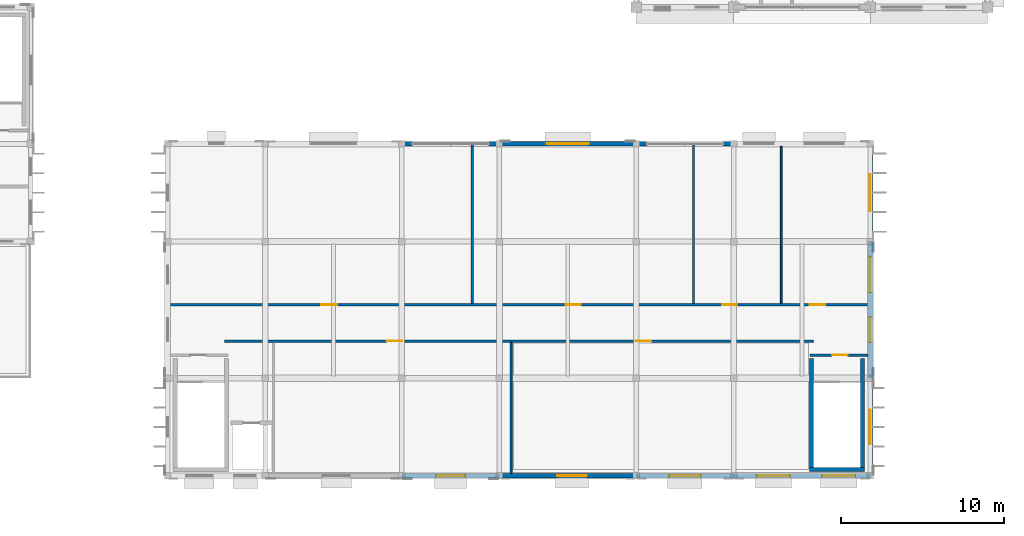
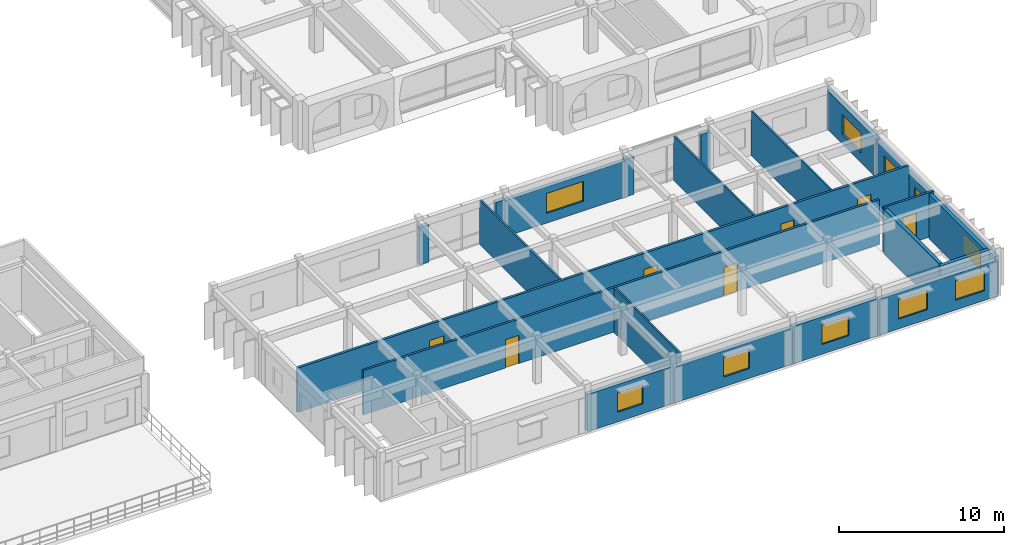
# One storey, part 61 of 88: 22 walls, 10 windows, 7 doors, 17 openings.
"""IFC4 building model written with IfcOpenShell, lengths in metres."""

import ifcopenshell
import ifcopenshell.guid

model = None  # the IFC model being written
_history = None  # IfcOwnerHistory: only IFC2X3 demands one
_inside = {}  # id of a spatial element -> (the spatial element, [elements in it])
_under = {}  # id of a project, library or spatial element -> (it, [spatial elements below it])
_declared = {}  # id of a project -> (the project, [libraries it declares])
_typed = {}  # id of a type object -> (the type object, [elements of that type])
_made_of = {}  # id of a material, layer set ... -> (it, [elements and type objects made of it])


def new_model(schema):
    """Start an empty IFC model of exactly this schema.

    Asked for "IFC4X3", IfcOpenShell would pick the latest addendum, in which some entities
    have other attributes; the version numbers below select the first issue.
    IFC2X3 requires an IfcOwnerHistory on every rooted entity: one is made here for all.
    """
    global model, _history
    if schema == "IFC4X3":
        model = ifcopenshell.file(schema_version=(4, 3, 0, 0))
    else:
        model = ifcopenshell.file(schema=schema)
    _inside.clear()
    _under.clear()
    _declared.clear()
    _typed.clear()
    _made_of.clear()
    _history = None
    if model.schema == "IFC2X3":
        org = make("IfcOrganization", Name="unknown")
        user = make(
            "IfcPersonAndOrganization",
            ThePerson=make("IfcPerson", FamilyName="unknown"),
            TheOrganization=org,
        )
        app = make(
            "IfcApplication",
            ApplicationDeveloper=org,
            Version="unknown",
            ApplicationFullName="unknown",
            ApplicationIdentifier="unknown",
        )
        _history = make(
            "IfcOwnerHistory",
            OwningUser=user,
            OwningApplication=app,
            ChangeAction="ADDED",
            CreationDate=0,
        )
    return model


def make(cls, **values):
    """One entity of the class cls with the attributes given. An attribute that is None is left unset."""
    return model.create_entity(
        cls, **{name: value for name, value in values.items() if value is not None}
    )


def rooted(cls, **values):
    """An entity with a GlobalId (a new one), such as an element, a storey or a relation."""
    return make(cls, GlobalId=ifcopenshell.guid.new(), OwnerHistory=_history, **values)


def si_unit(unit_type, name, prefix=None):
    """IfcSIUnit, for example si_unit("LENGTHUNIT", "METRE", prefix="MILLI")."""
    return make("IfcSIUnit", UnitType=unit_type, Prefix=prefix, Name=name)


def assignment(units):
    """IfcUnitAssignment: the units of a project."""
    return None if units is None else make("IfcUnitAssignment", Units=units)


def point(xyz):
    """IfcCartesianPoint."""
    return None if xyz is None else make("IfcCartesianPoint", Coordinates=xyz)


def direction(xyz):
    """IfcDirection."""
    return None if xyz is None else make("IfcDirection", DirectionRatios=xyz)


def frame(location, z_axis=None, x_axis=None):
    """IfcAxis2Placement3D, a coordinate frame: its origin and axes. An axis left out is left unset."""
    return make(
        "IfcAxis2Placement3D",
        Location=point(location),
        Axis=direction(z_axis),
        RefDirection=direction(x_axis),
    )


def frame_2d(location, x_axis=None):
    """IfcAxis2Placement2D, a coordinate frame in the plane: its origin and x axis."""
    return make(
        "IfcAxis2Placement2D", Location=point(location), RefDirection=direction(x_axis)
    )


def origin():
    """The frame at (0, 0, 0) with its axes left unset."""
    return frame((0.0, 0.0, 0.0))


def place(relative_to, where):
    """IfcLocalPlacement: puts the frame where relative to a parent placement (None: the world)."""
    return make(
        "IfcLocalPlacement", PlacementRelTo=relative_to, RelativePlacement=where
    )


def context(
    kind, dimensions, precision=None, world=None, true_north=None, identifier=None
):
    """IfcGeometricRepresentationContext, for example the 3D "Model" context."""
    return make(
        "IfcGeometricRepresentationContext",
        ContextIdentifier=identifier,
        ContextType=kind,
        CoordinateSpaceDimension=dimensions,
        Precision=precision,
        WorldCoordinateSystem=world,
        TrueNorth=true_north,
    )


def subcontext(parent, identifier, kind, view, scale=None):
    """IfcGeometricRepresentationSubContext, for example "Body" below "Model"."""
    return make(
        "IfcGeometricRepresentationSubContext",
        ContextIdentifier=identifier,
        ContextType=kind,
        ParentContext=parent,
        TargetScale=scale,
        TargetView=view,
    )


def project(units=None, contexts=None):
    """IfcProject with its units and contexts."""
    return rooted(
        "IfcProject",
        Name="project",
        RepresentationContexts=contexts,
        UnitsInContext=assignment(units),
    )


def spatial(cls, under=None, at=None, **own):
    """A site, building, storey or space (cls), placed at a placement, below another one or the project."""
    s = rooted(cls, ObjectPlacement=at, **own)
    if under is not None:
        _under.setdefault(under.id(), (under, []))[1].append(s)
    return s


def profile(cls, at=None, kind="AREA", **sizes):
    """A parametric profile (cls). Its sizes go by their IFC names, for example OverallWidth=200.0."""
    return make(cls, ProfileType=kind, Position=at, **sizes)


def rectangle(**sizes):
    """IfcRectangleProfileDef."""
    return profile("IfcRectangleProfileDef", **sizes)


def extrude(swept, where, along, depth):
    """IfcExtrudedAreaSolid: the profile swept, set in the frame where, extruded along a direction by depth."""
    return make(
        "IfcExtrudedAreaSolid",
        SweptArea=swept,
        Position=where,
        ExtrudedDirection=direction(along),
        Depth=depth,
    )


def shape(context_of_items, identifier, shape_type, items):
    """IfcShapeRepresentation: the items that make up one representation, for example the "Body"."""
    return make(
        "IfcShapeRepresentation",
        ContextOfItems=context_of_items,
        RepresentationIdentifier=identifier,
        RepresentationType=shape_type,
        Items=items,
    )


def material(Name=None, Category=None):
    """IfcMaterial."""
    return make("IfcMaterial", Name=Name, Category=Category)


def layer(
    of_material, thickness, ventilated=None, Name=None, Category=None, Priority=None
):
    """IfcMaterialLayer: one layer of a wall or slab, of a material (None: an air gap)."""
    return make(
        "IfcMaterialLayer",
        Material=of_material,
        LayerThickness=thickness,
        IsVentilated=ventilated,
        Name=Name,
        Category=Category,
        Priority=Priority,
    )


def layer_set(layers, Name=None):
    """IfcMaterialLayerSet."""
    return make("IfcMaterialLayerSet", MaterialLayers=layers, LayerSetName=Name)


def made_of(thing, what):
    """Note that an element or type object is made of a material, layer set ...; save() writes the relation."""
    if what is not None:
        _made_of.setdefault(what.id(), (what, []))[1].append(thing)
    return thing


def type_object(cls, material=None, **own):
    """A type object (cls), such as IfcWallType, which elements share."""
    return made_of(rooted(cls, **own), material)


def element(
    cls,
    number,
    at=None,
    inside=None,
    cuts=None,
    type_object=None,
    material=None,
    context=None,
    identifier="Body",
    shape_type=None,
    held_by="IfcProductDefinitionShape",
    body=None,
    shapes=None,
    **own,
):
    """One element of the class cls, such as IfcWall. Its Tag is "e" and its number.

    at: its placement. inside: the storey or other place that contains it. cuts: it is an
    opening in that element (IfcRelVoidsElement). A single representation is given by context,
    identifier, shape_type and body (its items); several are given by shapes. held_by: the class
    of the entity that holds the representations. save() writes the other relations.
    """
    e = rooted(cls, Tag="e%d" % number, ObjectPlacement=at, **own)
    if body is not None:
        shapes = [shape(context, identifier, shape_type, body)]
    if shapes is not None:
        e.Representation = make(held_by, Representations=shapes)
    if inside is not None:
        _inside.setdefault(inside.id(), (inside, []))[1].append(e)
    if cuts is not None:
        rooted(
            "IfcRelVoidsElement", RelatingBuildingElement=cuts, RelatedOpeningElement=e
        )
    if type_object is not None:
        _typed.setdefault(type_object.id(), (type_object, []))[1].append(e)
    return made_of(e, material)


def fill(opening, filler):
    """IfcRelFillsElement: the door or window that sits in an opening."""
    return rooted(
        "IfcRelFillsElement",
        RelatingOpeningElement=opening,
        RelatedBuildingElement=filler,
    )


def aggregate(whole, parts):
    """IfcRelAggregates: a whole, such as a stair, and the parts it consists of."""
    return rooted("IfcRelAggregates", RelatingObject=whole, RelatedObjects=parts)


def save(model, path):
    """Write the relations noted so far, then the file.

    IfcRelAggregates (storeys below a building ...), IfcRelContainedInSpatialStructure (elements
    in a storey), IfcRelDefinesByType, IfcRelAssociatesMaterial and IfcRelDeclares: one each for
    every whole, place, type object, material and project.
    """
    for whole, parts in _under.values():
        aggregate(whole, parts)
    for where, things in _inside.values():
        rooted(
            "IfcRelContainedInSpatialStructure",
            RelatedElements=things,
            RelatingStructure=where,
        )
    for kind, things in _typed.values():
        rooted("IfcRelDefinesByType", RelatedObjects=things, RelatingType=kind)
    for what, things in _made_of.values():
        rooted("IfcRelAssociatesMaterial", RelatedObjects=things, RelatingMaterial=what)
    for by, libraries in _declared.values():
        rooted("IfcRelDeclares", RelatingContext=by, RelatedDefinitions=libraries)
    model.write(path)


model = new_model("IFC4")

# Units and contexts
model_context = context("Model", 3, precision=1e-05, world=origin(), true_north=direction((0.0, 1.0)))
body_context = subcontext(model_context, "Body", "Model", "MODEL_VIEW")
ifc_project = project(units=[si_unit("LENGTHUNIT", "METRE"), si_unit("AREAUNIT", "SQUARE_METRE"), si_unit("VOLUMEUNIT", "CUBIC_METRE"), si_unit("PLANEANGLEUNIT", "RADIAN"), si_unit("MASSUNIT", "GRAM", prefix="KILO"), si_unit("THERMODYNAMICTEMPERATUREUNIT", "KELVIN")], contexts=[model_context])

# Site, building, storey
site_placement = place(None, origin())
site = spatial("IfcSite", under=ifc_project, at=site_placement, CompositionType="ELEMENT")
building_placement = place(site_placement, origin())
building = spatial("IfcBuilding", under=site, at=building_placement, Name="Thalorik Housing Commons", CompositionType="ELEMENT")
storey_placement = place(building_placement, frame((0.0, 0.0, 4.5)))
storey = spatial("IfcBuildingStorey", under=building, at=storey_placement, Name="L01", CompositionType="ELEMENT", Elevation=4.5)

# Walls
ifc_material_1 = material(Name="Concrete C40/50", Category="concrete")
ifc_layer_1 = layer(ifc_material_1, 0.25, Name="Concrete C40/50", Category="concrete")
ifc_layer_set_1 = layer_set([ifc_layer_1], Name="Concrete C40/50")
wall_type_1 = type_object("IfcWallType", Name="ARC-WAL-CORE-250", PredefinedType="SHEAR", material=ifc_layer_set_1)
for number, where, z_axis, x_axis, name in (
    (1, (163.175048828125, 15.60009765625, 0.0), (0.0, 0.0, 1.0), (0.0, -1.0, 0.0), "L01 Stair ST-N2 Structural Support Wall L"),
    (2, (166.324951171875, 15.60009765625, 0.0), (0.0, 0.0, 1.0), (0.0, -1.0, 0.0), "L01 Stair ST-N2 Structural Support Wall R"),
):
    element("IfcWall", number, at=place(storey_placement, frame(where, z_axis=z_axis, x_axis=x_axis)), inside=storey, type_object=wall_type_1, Name=name, PredefinedType="SHEAR", context=body_context, shape_type="SweptSolid", body=[
        extrude(rectangle(XDim=6.7001953125, YDim=0.25, at=frame_2d((3.35009765625, 0.0))), origin(), (0.0, 0.0, 1.0), 3.300048828125),
    ])
wall_1_placement = place(storey_placement, frame((163.050048828125, 8.77490234375, 0.0), z_axis=(0.0, 0.0, 1.0), x_axis=(1.0, 0.0, 0.0)))
element("IfcWall", 3, at=wall_1_placement, inside=storey, type_object=wall_type_1, Name="L01 Stair ST-N2 Structural Support Wall F", PredefinedType="SHEAR", context=body_context, shape_type="SweptSolid", body=[
    extrude(rectangle(XDim=3.39990234375, YDim=0.25, at=frame_2d((1.699951171875, 0.0))), origin(), (0.0, 0.0, 1.0), 3.300048828125),
])

# Wall, openings, doors
ifc_material_2 = material(Name="Masonry fire-rated corridor wall", Category="masonry")
ifc_layer_2 = layer(ifc_material_2, 0.14990234375, Name="Masonry fire-rated corridor wall", Category="masonry")
ifc_layer_set_2 = layer_set([ifc_layer_2], Name="Masonry fire-rated corridor wall")
wall_type_2 = type_object("IfcWallType", Name="ARC-WAL-CORR-150", PredefinedType="PARTITIONING", material=ifc_layer_set_2)
wall_2_placement = place(storey_placement, frame((127.10009765625, 16.679931640625, 0.0), z_axis=(0.0, 0.0, 1.0), x_axis=(1.0, 0.0, 0.0)))
wall_2 = element("IfcWall", 4, at=wall_2_placement, inside=storey, type_object=wall_type_2, Name="L01 Nursery South Corridor Wall", PredefinedType="PARTITIONING", context=body_context, shape_type="SweptSolid", body=[
    extrude(rectangle(XDim=36.199951171875, YDim=0.14990234375, at=frame_2d((18.10009765625, 0.0))), origin(), (0.0, 0.0, 1.0), 3.300048828125),
])
opening_1_placement = place(wall_2_placement, frame((9.966796875, 0.0, 0.0)))
opening_1 = element("IfcOpeningElement", 5, at=opening_1_placement, cuts=wall_2, Name="Opening ID-2201", PredefinedType="OPENING", context=body_context, shape_type="SweptSolid", body=[
    extrude(rectangle(XDim=0.949951171875, YDim=2.10009765625, at=frame_2d((0.47509765625, 1.050048828125))), frame((0.0, 0.0849609375, 0.0), z_axis=(0.0, -1.0, 0.0), x_axis=(1.0, 0.0, 0.0)), (0.0, 0.0, 1.0), 0.169921875),
])
opening_2_placement = place(wall_2_placement, frame((25.283203125, 0.0, 0.0)))
opening_2 = element("IfcOpeningElement", 6, at=opening_2_placement, cuts=wall_2, Name="Opening ID-2202", PredefinedType="OPENING", context=body_context, shape_type="SweptSolid", body=[
    extrude(rectangle(XDim=0.949951171875, YDim=2.10009765625, at=frame_2d((0.47509765625, 1.050048828125))), frame((0.0, 0.0849609375, 0.0), z_axis=(0.0, -1.0, 0.0), x_axis=(1.0, 0.0, 0.0)), (0.0, 0.0, 1.0), 0.169921875),
])
ifc_material_3 = material(Name="Engineered oak timber", Category="wood")
door_type_1 = type_object("IfcDoorType", Name="ARC-DR-INT-950", OperationType="NOTDEFINED", PredefinedType="DOOR", material=ifc_material_3)
door_1_placement = place(opening_1_placement, origin())
door_1 = element("IfcDoor", 7, at=door_1_placement, inside=storey, type_object=door_type_1, Name="Nap Room Door", OperationType="SINGLE_SWING_LEFT", OverallHeight=2.10009765625, OverallWidth=0.949951171875, PredefinedType="DOOR", context=body_context, shape_type="SweptSolid", body=[
    extrude(rectangle(XDim=0.949951171875, YDim=2.10009765625, at=frame_2d((0.47509765625, 1.050048828125))), frame((0.0, 0.02490234375, 0.0), z_axis=(0.0, -1.0, 0.0), x_axis=(1.0, 0.0, 0.0)), (0.0, 0.0, 1.0), 0.050048828125),
])
fill(opening_1, door_1)
door_2_placement = place(opening_2_placement, origin())
door_2 = element("IfcDoor", 8, at=door_2_placement, inside=storey, type_object=door_type_1, Name="Upper Preschool Classroom Door", OperationType="SINGLE_SWING_RIGHT", OverallHeight=2.10009765625, OverallWidth=0.949951171875, PredefinedType="DOOR", context=body_context, shape_type="SweptSolid", body=[
    extrude(rectangle(XDim=0.949951171875, YDim=2.10009765625, at=frame_2d((0.47509765625, 1.050048828125))), frame((0.0, 0.02490234375, 0.0), z_axis=(0.0, -1.0, 0.0), x_axis=(1.0, 0.0, 0.0)), (0.0, 0.0, 1.0), 0.050048828125),
])
fill(opening_2, door_2)

ifc_layer_3 = layer(ifc_material_2, 0.1650390625, Name="Masonry fire-rated corridor wall", Category="masonry")
ifc_layer_set_3 = layer_set([ifc_layer_3], Name="Masonry fire-rated corridor wall")
wall_type_3 = type_object("IfcWallType", Name="ARC-WAL-CORR-165", PredefinedType="PARTITIONING", material=ifc_layer_set_3)
wall_3_placement = place(storey_placement, frame((123.7470703125, 18.919921875, 0.0), z_axis=(0.0, 0.0, 1.0), x_axis=(1.0, 0.0, 0.0)))
wall_3 = element("IfcWall", 9, at=wall_3_placement, inside=storey, type_object=wall_type_3, Name="L01 Nursery North Corridor Wall", PredefinedType="PARTITIONING", context=body_context, shape_type="SweptSolid", body=[
    extrude(rectangle(XDim=42.906005859375, YDim=0.1650390625, at=frame_2d((21.453125, 0.0))), origin(), (0.0, 0.0, 1.0), 3.300048828125),
])
opening_3_placement = place(wall_3_placement, frame((9.293701171875, 0.0, 0.0)))
opening_3 = element("IfcOpeningElement", 10, at=opening_3_placement, cuts=wall_3, Name="Opening ID-2203", PredefinedType="OPENING", context=body_context, shape_type="SweptSolid", body=[
    extrude(rectangle(XDim=1.0, YDim=2.10009765625, at=frame_2d((0.5, 1.050048828125))), frame((0.0, 0.092529296875, 0.0), z_axis=(0.0, -1.0, 0.0), x_axis=(1.0, 0.0, 0.0)), (0.0, 0.0, 1.0), 0.18505859375),
])
opening_4_placement = place(wall_3_placement, frame((24.313232421875, 0.0, 0.0)))
opening_4 = element("IfcOpeningElement", 11, at=opening_4_placement, cuts=wall_3, Name="Opening ID-2204", PredefinedType="OPENING", context=body_context, shape_type="SweptSolid", body=[
    extrude(rectangle(XDim=0.949951171875, YDim=2.10009765625, at=frame_2d((0.47509765625, 1.050048828125))), frame((0.0, 0.092529296875, 0.0), z_axis=(0.0, -1.0, 0.0), x_axis=(1.0, 0.0, 0.0)), (0.0, 0.0, 1.0), 0.18505859375),
])
opening_5_placement = place(wall_3_placement, frame((33.9423828125, 0.0, 0.0)))
opening_5 = element("IfcOpeningElement", 12, at=opening_5_placement, cuts=wall_3, Name="Opening ID-2205", PredefinedType="OPENING", context=body_context, shape_type="SweptSolid", body=[
    extrude(rectangle(XDim=0.89990234375, YDim=2.10009765625, at=frame_2d((0.449951171875, 1.050048828125))), frame((0.0, 0.092529296875, 0.0), z_axis=(0.0, -1.0, 0.0), x_axis=(1.0, 0.0, 0.0)), (0.0, 0.0, 1.0), 0.18505859375),
])
opening_6_placement = place(wall_3_placement, frame((39.321533203125, 0.0, 0.0)))
opening_6 = element("IfcOpeningElement", 13, at=opening_6_placement, cuts=wall_3, Name="Opening ID-2206", PredefinedType="OPENING", context=body_context, shape_type="SweptSolid", body=[
    extrude(rectangle(XDim=0.949951171875, YDim=2.10009765625, at=frame_2d((0.47509765625, 1.050048828125))), frame((0.0, 0.092529296875, 0.0), z_axis=(0.0, -1.0, 0.0), x_axis=(1.0, 0.0, 0.0)), (0.0, 0.0, 1.0), 0.18505859375),
])
door_type_2 = type_object("IfcDoorType", Name="ARC-DR-INT-1000", OperationType="NOTDEFINED", PredefinedType="DOOR", material=ifc_material_3)
door_3_placement = place(opening_3_placement, origin())
door_3 = element("IfcDoor", 14, at=door_3_placement, inside=storey, type_object=door_type_2, Name="Covered Play Veranda Door", OperationType="SINGLE_SWING_LEFT", OverallHeight=2.10009765625, OverallWidth=1.0, PredefinedType="DOOR", context=body_context, shape_type="SweptSolid", body=[
    extrude(rectangle(XDim=1.0, YDim=2.10009765625, at=frame_2d((0.5, 1.050048828125))), frame((0.0, 0.02490234375, 0.0), z_axis=(0.0, -1.0, 0.0), x_axis=(1.0, 0.0, 0.0)), (0.0, 0.0, 1.0), 0.050048828125),
])
fill(opening_3, door_3)
door_type_3 = type_object("IfcDoorType", Name="ARC-DR-INT-900", OperationType="NOTDEFINED", PredefinedType="DOOR", material=ifc_material_3)
door_4_placement = place(opening_5_placement, origin())
door_4 = element("IfcDoor", 15, at=door_4_placement, inside=storey, type_object=door_type_3, Name="L01 Children's Bathroom Door", OperationType="SINGLE_SWING_LEFT", OverallHeight=2.10009765625, OverallWidth=0.89990234375, PredefinedType="DOOR", context=body_context, shape_type="SweptSolid", body=[
    extrude(rectangle(XDim=0.89990234375, YDim=2.10009765625, at=frame_2d((0.449951171875, 1.050048828125))), frame((0.0, 0.02490234375, 0.0), z_axis=(0.0, -1.0, 0.0), x_axis=(1.0, 0.0, 0.0)), (0.0, 0.0, 1.0), 0.050048828125),
])
fill(opening_5, door_4)
door_5_placement = place(opening_4_placement, origin())
door_5 = element("IfcDoor", 16, at=door_5_placement, inside=storey, type_object=door_type_1, Name="Early Childhood Art Room Door", OperationType="SINGLE_SWING_RIGHT", OverallHeight=2.10009765625, OverallWidth=0.949951171875, PredefinedType="DOOR", context=body_context, shape_type="SweptSolid", body=[
    extrude(rectangle(XDim=0.949951171875, YDim=2.10009765625, at=frame_2d((0.47509765625, 1.050048828125))), frame((0.0, 0.02490234375, 0.0), z_axis=(0.0, -1.0, 0.0), x_axis=(1.0, 0.0, 0.0)), (0.0, 0.0, 1.0), 0.050048828125),
])
fill(opening_4, door_5)
door_6_placement = place(opening_6_placement, origin())
door_6 = element("IfcDoor", 17, at=door_6_placement, inside=storey, type_object=door_type_1, Name="L01 Accessible Bathroom Door", OperationType="SINGLE_SWING_RIGHT", OverallHeight=2.10009765625, OverallWidth=0.949951171875, PredefinedType="DOOR", context=body_context, shape_type="SweptSolid", body=[
    extrude(rectangle(XDim=0.949951171875, YDim=2.10009765625, at=frame_2d((0.47509765625, 1.050048828125))), frame((0.0, 0.02490234375, 0.0), z_axis=(0.0, -1.0, 0.0), x_axis=(1.0, 0.0, 0.0)), (0.0, 0.0, 1.0), 0.050048828125),
])
fill(opening_6, door_6)

# Wall, opening, window
ifc_material_4 = material(Name="White precast concrete C40/50", Category="concrete")
ifc_layer_4 = layer(ifc_material_4, 0.2900390625, Name="White precast concrete C40/50", Category="concrete")
ifc_layer_set_4 = layer_set([ifc_layer_4], Name="White precast concrete C40/50")
wall_type_4 = type_object("IfcWallType", Name="ARC-WAL-EXT-290", PredefinedType="STANDARD", material=ifc_layer_set_4)
wall_4_placement = place(storey_placement, frame((138.0, 8.39990234375, 0.0), z_axis=(0.0, 0.0, 1.0), x_axis=(1.0, 0.0, 0.0)))
wall_4 = element("IfcWall", 18, at=wall_4_placement, inside=storey, type_object=wall_type_4, Name="L01 Exterior Wall WAL-NURS-L01-1343", PredefinedType="STANDARD", context=body_context, shape_type="SweptSolid", body=[
    extrude(rectangle(XDim=6.0, YDim=0.2900390625, at=frame_2d((3.0, 0.0))), origin(), (0.0, 0.0, 1.0), 2.77490234375),
])
opening_7_placement = place(wall_4_placement, frame((2.110107421875, 0.0, 0.719970703125)))
opening_7 = element("IfcOpeningElement", 19, at=opening_7_placement, cuts=wall_4, Name="Opening W-57", PredefinedType="OPENING", context=body_context, shape_type="SweptSolid", body=[
    extrude(rectangle(XDim=1.780029296875, YDim=1.419921875, at=frame_2d((0.89013671875, 0.7099609375))), frame((0.0, 0.155029296875, 0.0), z_axis=(0.0, -1.0, 0.0), x_axis=(1.0, 0.0, 0.0)), (0.0, 0.0, 1.0), 0.31005859375),
])
ifc_material_5 = material(Name="Anodised aluminium and solar-control low-E glass", Category="aluminium")
window_type_1 = type_object("IfcWindowType", Name="ARC-WIN-57", PartitioningType="DOUBLE_PANEL_VERTICAL", PredefinedType="WINDOW", material=ifc_material_5)
window_1_placement = place(opening_7_placement, origin())
window_1 = element("IfcWindow", 20, at=window_1_placement, inside=storey, type_object=window_type_1, Name="L01 Facade Window 2382", OverallHeight=1.419921875, OverallWidth=1.780029296875, PartitioningType="DOUBLE_PANEL_VERTICAL", PredefinedType="WINDOW", context=body_context, shape_type="SweptSolid", body=[
    extrude(rectangle(XDim=1.780029296875, YDim=1.419921875, at=frame_2d((0.89013671875, 0.7099609375))), frame((0.0, 0.030029296875, 0.0), z_axis=(0.0, -1.0, 0.0), x_axis=(1.0, 0.0, 0.0)), (0.0, 0.0, 1.0), 0.06005859375),
])
fill(opening_7, window_1)

wall_5_placement = place(storey_placement, frame((144.0, 8.39990234375, 0.0), z_axis=(0.0, 0.0, 1.0), x_axis=(1.0, 0.0, 0.0)))
wall_5 = element("IfcWall", 21, at=wall_5_placement, inside=storey, type_object=wall_type_4, Name="L01 Exterior Wall WAL-NURS-L01-1344", PredefinedType="STANDARD", context=body_context, shape_type="SweptSolid", body=[
    extrude(rectangle(XDim=8.39990234375, YDim=0.2900390625, at=frame_2d((4.199951171875, 0.0))), origin(), (0.0, 0.0, 1.0), 2.675048828125),
])
opening_8_placement = place(wall_5_placement, frame((3.554931640625, 0.0, 0.719970703125)))
opening_8 = element("IfcOpeningElement", 22, at=opening_8_placement, cuts=wall_5, Name="Opening W-58", PredefinedType="OPENING", context=body_context, shape_type="SweptSolid", body=[
    extrude(rectangle(XDim=1.820068359375, YDim=1.4599609375, at=frame_2d((0.91015625, 0.72998046875))), frame((0.0, 0.155029296875, 0.0), z_axis=(0.0, -1.0, 0.0), x_axis=(1.0, 0.0, 0.0)), (0.0, 0.0, 1.0), 0.31005859375),
])
window_type_2 = type_object("IfcWindowType", Name="ARC-WIN-58", PartitioningType="DOUBLE_PANEL_VERTICAL", PredefinedType="WINDOW", material=ifc_material_5)
window_2_placement = place(opening_8_placement, origin())
window_2 = element("IfcWindow", 23, at=window_2_placement, inside=storey, type_object=window_type_2, Name="L01 Facade Window 2383", OverallHeight=1.4599609375, OverallWidth=1.820068359375, PartitioningType="DOUBLE_PANEL_VERTICAL", PredefinedType="WINDOW", context=body_context, shape_type="SweptSolid", body=[
    extrude(rectangle(XDim=1.820068359375, YDim=1.4599609375, at=frame_2d((0.91015625, 0.72998046875))), frame((0.0, 0.030029296875, 0.0), z_axis=(0.0, -1.0, 0.0), x_axis=(1.0, 0.0, 0.0)), (0.0, 0.0, 1.0), 0.06005859375),
])
fill(opening_8, window_2)

wall_6_placement = place(storey_placement, frame((152.39990234375, 8.39990234375, 0.0), z_axis=(0.0, 0.0, 1.0), x_axis=(1.0, 0.0, 0.0)))
wall_6 = element("IfcWall", 24, at=wall_6_placement, inside=storey, type_object=wall_type_4, Name="L01 Exterior Wall WAL-NURS-L01-1345", PredefinedType="STANDARD", context=body_context, shape_type="SweptSolid", body=[
    extrude(rectangle(XDim=6.0, YDim=0.2900390625, at=frame_2d((3.0, 0.0))), origin(), (0.0, 0.0, 1.0), 2.77490234375),
])
opening_9_placement = place(wall_6_placement, frame((2.0400390625, 0.0, 0.719970703125)))
opening_9 = element("IfcOpeningElement", 25, at=opening_9_placement, cuts=wall_6, Name="Opening W-60", PredefinedType="OPENING", context=body_context, shape_type="SweptSolid", body=[
    extrude(rectangle(XDim=1.919921875, YDim=1.43994140625, at=frame_2d((0.9599609375, 0.719970703125))), frame((0.0, 0.155029296875, 0.0), z_axis=(0.0, -1.0, 0.0), x_axis=(1.0, 0.0, 0.0)), (0.0, 0.0, 1.0), 0.31005859375),
])
window_type_3 = type_object("IfcWindowType", Name="ARC-WIN-60", PartitioningType="DOUBLE_PANEL_VERTICAL", PredefinedType="WINDOW", material=ifc_material_5)
window_3_placement = place(opening_9_placement, origin())
window_3 = element("IfcWindow", 26, at=window_3_placement, inside=storey, type_object=window_type_3, Name="L01 Facade Window 2384", OverallHeight=1.43994140625, OverallWidth=1.919921875, PartitioningType="DOUBLE_PANEL_VERTICAL", PredefinedType="WINDOW", context=body_context, shape_type="SweptSolid", body=[
    extrude(rectangle(XDim=1.919921875, YDim=1.43994140625, at=frame_2d((0.9599609375, 0.719970703125))), frame((0.0, 0.030029296875, 0.0), z_axis=(0.0, -1.0, 0.0), x_axis=(1.0, 0.0, 0.0)), (0.0, 0.0, 1.0), 0.06005859375),
])
fill(opening_9, window_3)

# Wall, openings, windows
wall_7_placement = place(storey_placement, frame((158.39990234375, 8.39990234375, 0.0), z_axis=(0.0, 0.0, 1.0), x_axis=(1.0, 0.0, 0.0)))
wall_7 = element("IfcWall", 27, at=wall_7_placement, inside=storey, type_object=wall_type_4, Name="L01 Exterior Wall WAL-NURS-L01-1346", PredefinedType="STANDARD", context=body_context, shape_type="SweptSolid", body=[
    extrude(rectangle(XDim=8.400146484375, YDim=0.2900390625, at=frame_2d((4.2001953125, 0.0))), origin(), (0.0, 0.0, 1.0), 2.675048828125),
])
opening_10_placement = place(wall_7_placement, frame((1.425048828125, 0.0, 0.719970703125)))
opening_10 = element("IfcOpeningElement", 28, at=opening_10_placement, cuts=wall_7, Name="Opening W-62", PredefinedType="OPENING", context=body_context, shape_type="SweptSolid", body=[
    extrude(rectangle(XDim=2.0400390625, YDim=1.4599609375, at=frame_2d((1.02001953125, 0.72998046875))), frame((0.0, 0.155029296875, 0.0), z_axis=(0.0, -1.0, 0.0), x_axis=(1.0, 0.0, 0.0)), (0.0, 0.0, 1.0), 0.31005859375),
])
opening_11_placement = place(wall_7_placement, frame((5.43505859375, 0.0, 0.719970703125)))
opening_11 = element("IfcOpeningElement", 29, at=opening_11_placement, cuts=wall_7, Name="Opening W-62", PredefinedType="OPENING", context=body_context, shape_type="SweptSolid", body=[
    extrude(rectangle(XDim=2.0400390625, YDim=1.4599609375, at=frame_2d((1.02001953125, 0.72998046875))), frame((0.0, 0.155029296875, 0.0), z_axis=(0.0, -1.0, 0.0), x_axis=(1.0, 0.0, 0.0)), (0.0, 0.0, 1.0), 0.31005859375),
])
window_type_4 = type_object("IfcWindowType", Name="ARC-WIN-62", PartitioningType="DOUBLE_PANEL_VERTICAL", PredefinedType="WINDOW", material=ifc_material_5)
window_4_placement = place(opening_10_placement, origin())
window_4 = element("IfcWindow", 30, at=window_4_placement, inside=storey, type_object=window_type_4, Name="L01 Facade Window 2385", OverallHeight=1.4599609375, OverallWidth=2.0400390625, PartitioningType="DOUBLE_PANEL_VERTICAL", PredefinedType="WINDOW", context=body_context, shape_type="SweptSolid", body=[
    extrude(rectangle(XDim=2.0400390625, YDim=1.4599609375, at=frame_2d((1.02001953125, 0.72998046875))), frame((0.0, 0.030029296875, 0.0), z_axis=(0.0, -1.0, 0.0), x_axis=(1.0, 0.0, 0.0)), (0.0, 0.0, 1.0), 0.06005859375),
])
fill(opening_10, window_4)
window_5_placement = place(opening_11_placement, origin())
window_5 = element("IfcWindow", 31, at=window_5_placement, inside=storey, type_object=window_type_4, Name="L01 Facade Window 2386", OverallHeight=1.4599609375, OverallWidth=2.0400390625, PartitioningType="DOUBLE_PANEL_VERTICAL", PredefinedType="WINDOW", context=body_context, shape_type="SweptSolid", body=[
    extrude(rectangle(XDim=2.0400390625, YDim=1.4599609375, at=frame_2d((1.02001953125, 0.72998046875))), frame((0.0, 0.030029296875, 0.0), z_axis=(0.0, -1.0, 0.0), x_axis=(1.0, 0.0, 0.0)), (0.0, 0.0, 1.0), 0.06005859375),
])
fill(opening_11, window_5)

# Wall, opening, window
wall_8_placement = place(storey_placement, frame((166.800048828125, 8.39990234375, 0.0), z_axis=(0.0, 0.0, 1.0), x_axis=(0.0, 1.0, 0.0)))
wall_8 = element("IfcWall", 32, at=wall_8_placement, inside=storey, type_object=wall_type_4, Name="L01 Exterior Wall WAL-NURS-L01-1347", PredefinedType="STANDARD", context=body_context, shape_type="SweptSolid", body=[
    extrude(rectangle(XDim=6.0, YDim=0.2900390625, at=frame_2d((3.0, 0.0))), origin(), (0.0, 0.0, 1.0), 2.875),
])
opening_12_placement = place(wall_8_placement, frame((1.93994140625, 0.0, 0.719970703125)))
opening_12 = element("IfcOpeningElement", 33, at=opening_12_placement, cuts=wall_8, Name="Opening W-64", PredefinedType="OPENING", context=body_context, shape_type="SweptSolid", body=[
    extrude(rectangle(XDim=2.1201171875, YDim=1.43994140625, at=frame_2d((1.06005859375, 0.719970703125))), frame((0.0, 0.155029296875, 0.0), z_axis=(0.0, -1.0, 0.0), x_axis=(1.0, 0.0, 0.0)), (0.0, 0.0, 1.0), 0.31005859375),
])
window_type_5 = type_object("IfcWindowType", Name="ARC-WIN-64", PartitioningType="DOUBLE_PANEL_VERTICAL", PredefinedType="WINDOW", material=ifc_material_5)
window_6_placement = place(opening_12_placement, origin())
window_6 = element("IfcWindow", 34, at=window_6_placement, inside=storey, type_object=window_type_5, Name="L01 Facade Window 2387", OverallHeight=1.43994140625, OverallWidth=2.1201171875, PartitioningType="DOUBLE_PANEL_VERTICAL", PredefinedType="WINDOW", context=body_context, shape_type="SweptSolid", body=[
    extrude(rectangle(XDim=2.1201171875, YDim=1.43994140625, at=frame_2d((1.06005859375, 0.719970703125))), frame((0.0, 0.030029296875, 0.0), z_axis=(0.0, -1.0, 0.0), x_axis=(1.0, 0.0, 0.0)), (0.0, 0.0, 1.0), 0.06005859375),
])
fill(opening_12, window_6)

# Wall, openings, windows
wall_9_placement = place(storey_placement, frame((166.800048828125, 14.39990234375, 0.0), z_axis=(0.0, 0.0, 1.0), x_axis=(0.0, 1.0, 0.0)))
wall_9 = element("IfcWall", 35, at=wall_9_placement, inside=storey, type_object=wall_type_4, Name="L01 Exterior Wall WAL-NURS-L01-1348", PredefinedType="STANDARD", context=body_context, shape_type="SweptSolid", body=[
    extrude(rectangle(XDim=8.400146484375, YDim=0.2900390625, at=frame_2d((4.2001953125, 0.0))), origin(), (0.0, 0.0, 1.0), 2.72509765625),
])
opening_13_placement = place(wall_9_placement, frame((2.195068359375, 0.0, 0.719970703125)))
opening_13 = element("IfcOpeningElement", 36, at=opening_13_placement, cuts=wall_9, Name="Opening W-12", PredefinedType="OPENING", context=body_context, shape_type="SweptSolid", body=[
    extrude(rectangle(XDim=1.550048828125, YDim=1.39990234375, at=frame_2d((0.77490234375, 0.699951171875))), frame((0.0, 0.155029296875, 0.0), z_axis=(0.0, -1.0, 0.0), x_axis=(1.0, 0.0, 0.0)), (0.0, 0.0, 1.0), 0.31005859375),
])
opening_14_placement = place(wall_9_placement, frame((5.27490234375, 0.0, 0.719970703125)))
opening_14 = element("IfcOpeningElement", 37, at=opening_14_placement, cuts=wall_9, Name="Opening W-65", PredefinedType="OPENING", context=body_context, shape_type="SweptSolid", body=[
    extrude(rectangle(XDim=2.179931640625, YDim=1.47998046875, at=frame_2d((1.08984375, 0.739990234375))), frame((0.0, 0.155029296875, 0.0), z_axis=(0.0, -1.0, 0.0), x_axis=(1.0, 0.0, 0.0)), (0.0, 0.0, 1.0), 0.31005859375),
])
window_type_6 = type_object("IfcWindowType", Name="ARC-WIN-12", PartitioningType="SINGLE_PANEL", PredefinedType="WINDOW", material=ifc_material_5)
window_7_placement = place(opening_13_placement, origin())
window_7 = element("IfcWindow", 38, at=window_7_placement, inside=storey, type_object=window_type_6, Name="L01 Facade Window 2388", OverallHeight=1.39990234375, OverallWidth=1.550048828125, PartitioningType="SINGLE_PANEL", PredefinedType="WINDOW", context=body_context, shape_type="SweptSolid", body=[
    extrude(rectangle(XDim=1.550048828125, YDim=1.39990234375, at=frame_2d((0.77490234375, 0.699951171875))), frame((0.0, 0.030029296875, 0.0), z_axis=(0.0, -1.0, 0.0), x_axis=(1.0, 0.0, 0.0)), (0.0, 0.0, 1.0), 0.06005859375),
])
fill(opening_13, window_7)
window_type_7 = type_object("IfcWindowType", Name="ARC-WIN-65", PartitioningType="DOUBLE_PANEL_VERTICAL", PredefinedType="WINDOW", material=ifc_material_5)
window_8_placement = place(opening_14_placement, origin())
window_8 = element("IfcWindow", 39, at=window_8_placement, inside=storey, type_object=window_type_7, Name="L01 Facade Window 2389", OverallHeight=1.47998046875, OverallWidth=2.179931640625, PartitioningType="DOUBLE_PANEL_VERTICAL", PredefinedType="WINDOW", context=body_context, shape_type="SweptSolid", body=[
    extrude(rectangle(XDim=2.179931640625, YDim=1.47998046875, at=frame_2d((1.08984375, 0.739990234375))), frame((0.0, 0.030029296875, 0.0), z_axis=(0.0, -1.0, 0.0), x_axis=(1.0, 0.0, 0.0)), (0.0, 0.0, 1.0), 0.06005859375),
])
fill(opening_14, window_8)

# Wall, opening, window
wall_10_placement = place(storey_placement, frame((166.800048828125, 22.800048828125, 0.0), z_axis=(0.0, 0.0, 1.0), x_axis=(0.0, 1.0, 0.0)))
wall_10 = element("IfcWall", 40, at=wall_10_placement, inside=storey, type_object=wall_type_4, Name="L01 Exterior Wall WAL-NURS-L01-1349", PredefinedType="STANDARD", context=body_context, shape_type="SweptSolid", body=[
    extrude(rectangle(XDim=6.0, YDim=0.2900390625, at=frame_2d((3.0, 0.0))), origin(), (0.0, 0.0, 1.0), 2.875),
])
opening_15_placement = place(wall_10_placement, frame((1.860107421875, 0.0, 0.719970703125)))
opening_15 = element("IfcOpeningElement", 41, at=opening_15_placement, cuts=wall_10, Name="Opening W-67", PredefinedType="OPENING", context=body_context, shape_type="SweptSolid", body=[
    extrude(rectangle(XDim=2.280029296875, YDim=1.4599609375, at=frame_2d((1.14013671875, 0.72998046875))), frame((0.0, 0.155029296875, 0.0), z_axis=(0.0, -1.0, 0.0), x_axis=(1.0, 0.0, 0.0)), (0.0, 0.0, 1.0), 0.31005859375),
])
window_type_8 = type_object("IfcWindowType", Name="ARC-WIN-67", PartitioningType="DOUBLE_PANEL_VERTICAL", PredefinedType="WINDOW", material=ifc_material_5)
window_9_placement = place(opening_15_placement, origin())
window_9 = element("IfcWindow", 42, at=window_9_placement, inside=storey, type_object=window_type_8, Name="L01 Facade Window 2390", OverallHeight=1.4599609375, OverallWidth=2.280029296875, PartitioningType="DOUBLE_PANEL_VERTICAL", PredefinedType="WINDOW", context=body_context, shape_type="SweptSolid", body=[
    extrude(rectangle(XDim=2.280029296875, YDim=1.4599609375, at=frame_2d((1.14013671875, 0.72998046875))), frame((0.0, 0.030029296875, 0.0), z_axis=(0.0, -1.0, 0.0), x_axis=(1.0, 0.0, 0.0)), (0.0, 0.0, 1.0), 0.06005859375),
])
fill(opening_15, window_9)

# Walls
wall_11_placement = place(storey_placement, frame((158.39990234375, 28.800048828125, 0.0), z_axis=(0.0, 0.0, 1.0), x_axis=(-1.0, 0.0, 0.0)))
element("IfcWall", 43, at=wall_11_placement, inside=storey, type_object=wall_type_4, Name="L01 Exterior Wall WAL-NURSPL-L01-1351", PredefinedType="STANDARD", context=body_context, shape_type="SweptSolid", body=[
    extrude(rectangle(XDim=0.64990234375, YDim=0.2900390625, at=frame_2d((0.324951171875, 0.0))), origin(), (0.0, 0.0, 1.0), 2.77490234375),
])
wall_12_placement = place(storey_placement, frame((153.050048828125, 28.800048828125, 0.0), z_axis=(0.0, 0.0, 1.0), x_axis=(-1.0, 0.0, 0.0)))
element("IfcWall", 44, at=wall_12_placement, inside=storey, type_object=wall_type_4, Name="L01 Exterior Wall WAL-NURSPR-L01-1351", PredefinedType="STANDARD", context=body_context, shape_type="SweptSolid", body=[
    extrude(rectangle(XDim=0.650146484375, YDim=0.2900390625, at=frame_2d((0.3251953125, 0.0))), origin(), (0.0, 0.0, 1.0), 2.77490234375),
])

# Wall, opening, window
wall_13_placement = place(storey_placement, frame((152.39990234375, 28.800048828125, 0.0), z_axis=(0.0, 0.0, 1.0), x_axis=(-1.0, 0.0, 0.0)))
wall_13 = element("IfcWall", 45, at=wall_13_placement, inside=storey, type_object=wall_type_4, Name="L01 Exterior Wall WAL-NURS-L01-1352", PredefinedType="STANDARD", context=body_context, shape_type="SweptSolid", body=[
    extrude(rectangle(XDim=8.39990234375, YDim=0.2900390625, at=frame_2d((4.199951171875, 0.0))), origin(), (0.0, 0.0, 1.0), 2.675048828125),
])
opening_16_placement = place(wall_13_placement, frame((2.909912109375, 0.0, 0.719970703125)))
opening_16 = element("IfcOpeningElement", 46, at=opening_16_placement, cuts=wall_13, Name="Opening W-73", PredefinedType="OPENING", context=body_context, shape_type="SweptSolid", body=[
    extrude(rectangle(XDim=2.580078125, YDim=1.47998046875, at=frame_2d((1.2900390625, 0.739990234375))), frame((0.0, 0.155029296875, 0.0), z_axis=(0.0, -1.0, 0.0), x_axis=(1.0, 0.0, 0.0)), (0.0, 0.0, 1.0), 0.31005859375),
])
window_type_9 = type_object("IfcWindowType", Name="ARC-WIN-73", PartitioningType="DOUBLE_PANEL_VERTICAL", PredefinedType="WINDOW", material=ifc_material_5)
window_10_placement = place(opening_16_placement, origin())
window_10 = element("IfcWindow", 47, at=window_10_placement, inside=storey, type_object=window_type_9, Name="L01 Facade Window 2393", OverallHeight=1.47998046875, OverallWidth=2.580078125, PartitioningType="DOUBLE_PANEL_VERTICAL", PredefinedType="WINDOW", context=body_context, shape_type="SweptSolid", body=[
    extrude(rectangle(XDim=2.580078125, YDim=1.47998046875, at=frame_2d((1.2900390625, 0.739990234375))), frame((0.0, 0.030029296875, 0.0), z_axis=(0.0, -1.0, 0.0), x_axis=(1.0, 0.0, 0.0)), (0.0, 0.0, 1.0), 0.06005859375),
])
fill(opening_16, window_10)

# Walls
for number, where, z_axis, x_axis, name in (
    (48, (144.0, 28.800048828125, 0.0), (0.0, 0.0, 1.0), (-1.0, 0.0, 0.0), "L01 Exterior Wall WAL-NURSPL-L01-1353"),
    (49, (138.64990234375, 28.800048828125, 0.0), (0.0, 0.0, 1.0), (-1.0, 0.0, 0.0), "L01 Exterior Wall WAL-NURSPR-L01-1353"),
):
    element("IfcWall", number, at=place(storey_placement, frame(where, z_axis=z_axis, x_axis=x_axis)), inside=storey, type_object=wall_type_4, Name=name, PredefinedType="STANDARD", context=body_context, shape_type="SweptSolid", body=[
        extrude(rectangle(XDim=0.64990234375, YDim=0.2900390625, at=frame_2d((0.324951171875, 0.0))), origin(), (0.0, 0.0, 1.0), 2.77490234375),
    ])
ifc_material_6 = material(Name="Gypsum moisture-resistant partition", Category="masonry")
ifc_layer_5 = layer(ifc_material_6, 0.114990234375, Name="Gypsum moisture-resistant partition", Category="masonry")
ifc_layer_set_5 = layer_set([ifc_layer_5], Name="Gypsum moisture-resistant partition")
wall_type_5 = type_object("IfcWallType", Name="ARC-WAL-PART-115", PredefinedType="PARTITIONING", material=ifc_layer_set_5)
wall_14_placement = place(storey_placement, frame((144.719970703125, 8.547119140625, 0.0), z_axis=(0.0, 0.0, 1.0), x_axis=(0.0, 1.0, 0.0)))
element("IfcWall", 50, at=wall_14_placement, inside=storey, type_object=wall_type_5, Name="L01 Nursery South Room Divider", PredefinedType="PARTITIONING", context=body_context, shape_type="SweptSolid", body=[
    extrude(rectangle(XDim=8.055908203125, YDim=0.114990234375, at=frame_2d((4.02783203125, 0.0))), origin(), (0.0, 0.0, 1.0), 3.300048828125),
])
wall_15_placement = place(storey_placement, frame((161.320068359375, 19.00439453125, 0.0), z_axis=(0.0, 0.0, 1.0), x_axis=(0.0, 1.0, 0.0)))
element("IfcWall", 51, at=wall_15_placement, inside=storey, type_object=wall_type_5, Name="L01 Nursery North Room Divider", PredefinedType="PARTITIONING", context=body_context, shape_type="SweptSolid", body=[
    extrude(rectangle(XDim=9.648681640625, YDim=0.114990234375, at=frame_2d((4.82421875, 0.0))), origin(), (0.0, 0.0, 1.0), 3.300048828125),
])
ifc_material_7 = material(Name="Gypsum acoustic stud partition", Category="masonry")
ifc_layer_6 = layer(ifc_material_7, 0.125, Name="Gypsum acoustic stud partition", Category="masonry")
ifc_layer_set_6 = layer_set([ifc_layer_6], Name="Gypsum acoustic stud partition")
wall_type_6 = type_object("IfcWallType", Name="ARC-WAL-PART-125", PredefinedType="PARTITIONING", material=ifc_layer_set_6)
wall_16_placement = place(storey_placement, frame((155.919921875, 19.00439453125, 0.0), z_axis=(0.0, 0.0, 1.0), x_axis=(0.0, 1.0, 0.0)))
element("IfcWall", 52, at=wall_16_placement, inside=storey, type_object=wall_type_6, Name="L01 Nursery North Room Divider", PredefinedType="PARTITIONING", context=body_context, shape_type="SweptSolid", body=[
    extrude(rectangle(XDim=9.735595703125, YDim=0.125, at=frame_2d((4.86767578125, 0.0))), origin(), (0.0, 0.0, 1.0), 3.300048828125),
])
ifc_material_8 = material(Name="Ceramic masonry partition wall", Category="masonry")
ifc_layer_7 = layer(ifc_material_8, 0.139892578125, Name="Ceramic masonry partition wall", Category="masonry")
ifc_layer_set_7 = layer_set([ifc_layer_7], Name="Ceramic masonry partition wall")
wall_type_7 = type_object("IfcWallType", Name="ARC-WAL-PART-140", PredefinedType="PARTITIONING", material=ifc_layer_set_7)
wall_17_placement = place(storey_placement, frame((142.320068359375, 19.00439453125, 0.0), z_axis=(0.0, 0.0, 1.0), x_axis=(0.0, 1.0, 0.0)))
element("IfcWall", 53, at=wall_17_placement, inside=storey, type_object=wall_type_7, Name="L01 Nursery North Room Divider", PredefinedType="PARTITIONING", context=body_context, shape_type="SweptSolid", body=[
    extrude(rectangle(XDim=9.735595703125, YDim=0.139892578125, at=frame_2d((4.86767578125, 0.0))), origin(), (0.0, 0.0, 1.0), 3.300048828125),
])

# Wall, opening, door
ifc_layer_8 = layer(ifc_material_8, 0.14794921875, Name="Ceramic masonry partition wall", Category="masonry")
ifc_layer_set_8 = layer_set([ifc_layer_8], Name="Ceramic masonry partition wall")
wall_type_8 = type_object("IfcWallType", Name="ARC-WAL-PART-150", PredefinedType="PARTITIONING", material=ifc_layer_set_8)
wall_18_placement = place(storey_placement, frame((163.10009765625, 15.820068359375, 0.0), z_axis=(0.0, 0.0, 1.0), x_axis=(1.0, 0.0, 0.0)))
wall_18 = element("IfcWall", 54, at=wall_18_placement, inside=storey, type_object=wall_type_8, Name="L01 Nursery East Stair North Wall", PredefinedType="PARTITIONING", context=body_context, shape_type="SweptSolid", body=[
    extrude(rectangle(XDim=3.552978515625, YDim=0.14794921875, at=frame_2d((1.7763671875, 0.0))), origin(), (0.0, 0.0, 1.0), 3.300048828125),
])
opening_17_placement = place(wall_18_placement, frame((1.35009765625, 0.0, 0.0)))
opening_17 = element("IfcOpeningElement", 55, at=opening_17_placement, cuts=wall_18, Name="Opening ID-2209", PredefinedType="OPENING", context=body_context, shape_type="SweptSolid", body=[
    extrude(rectangle(XDim=0.949951171875, YDim=2.10009765625, at=frame_2d((0.47509765625, 1.050048828125))), frame((0.0, 0.083984375, 0.0), z_axis=(0.0, -1.0, 0.0), x_axis=(1.0, 0.0, 0.0)), (0.0, 0.0, 1.0), 0.16796875),
])
ifc_material_9 = material(Name="Steel S355", Category="steel")
door_type_4 = type_object("IfcDoorType", Name="ARC-DR-FD60-950", OperationType="NOTDEFINED", PredefinedType="DOOR", material=ifc_material_9)
door_7_placement = place(opening_17_placement, origin())
door_7 = element("IfcDoor", 56, at=door_7_placement, inside=storey, type_object=door_type_4, Name="L01 Stair ST-N2 Fire Door", OperationType="SINGLE_SWING_RIGHT", OverallHeight=2.10009765625, OverallWidth=0.949951171875, PredefinedType="DOOR", context=body_context, shape_type="SweptSolid", body=[
    extrude(rectangle(XDim=0.949951171875, YDim=2.10009765625, at=frame_2d((0.47509765625, 1.050048828125))), frame((0.0, 0.02490234375, 0.0), z_axis=(0.0, -1.0, 0.0), x_axis=(1.0, 0.0, 0.0)), (0.0, 0.0, 1.0), 0.050048828125),
])
fill(opening_17, door_7)

save(model, "model.ifc")
